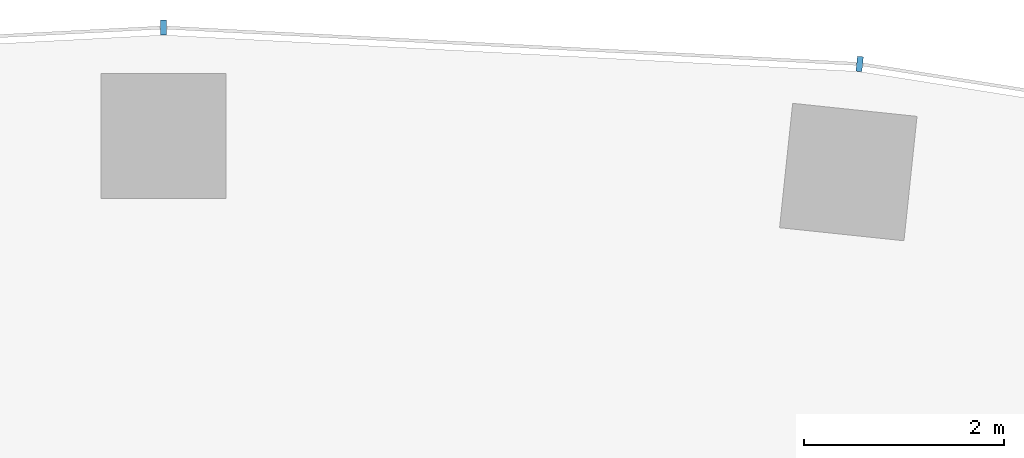
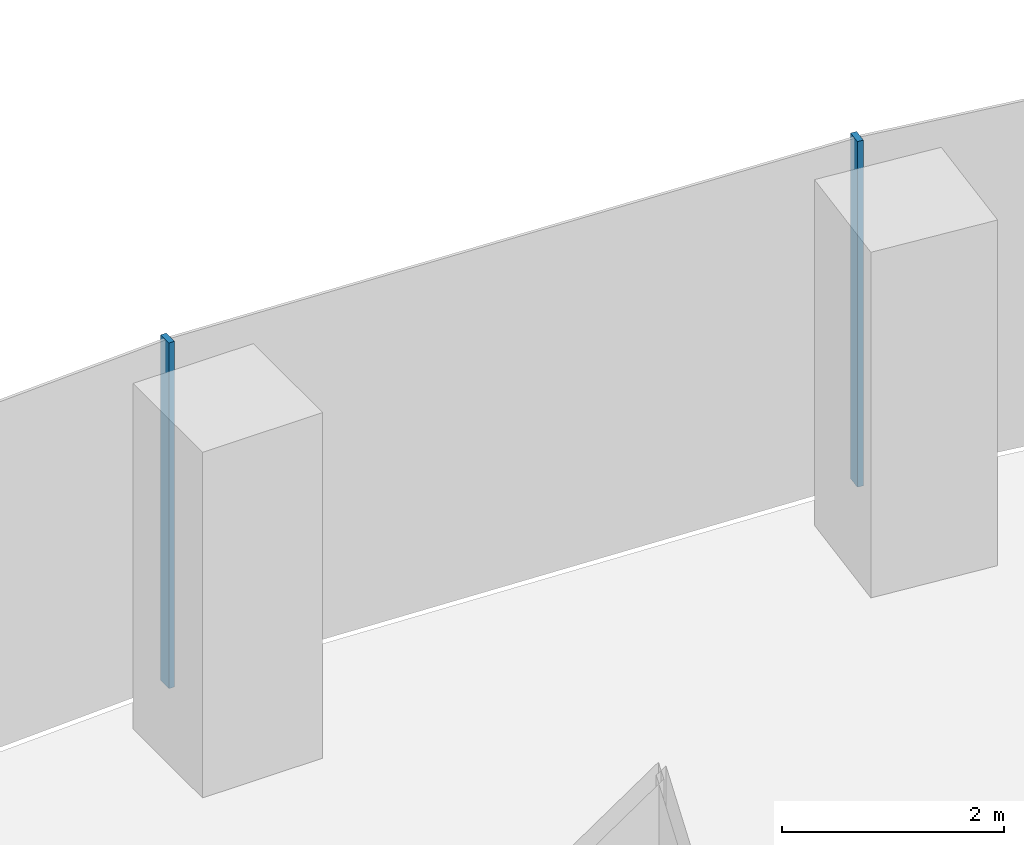
# One storey, part 7 of 21: 2 members, 1 element without a shape of its own.
"""IFC4 building model written with IfcOpenShell, lengths in metres."""

from ifc_helpers import new_model, si_unit, direction, frame, origin, origin_2d, place, context, subcontext, project, spatial, rectangle, extrude, material, layer, layer_set, material_profile, profile_set, type_object, element, aggregate, save


model = new_model("IFC4")

# Units and contexts
model_context = context("Model", 3, precision=1e-05, world=origin(), true_north=direction((0.0, 1.0)))
body_context = subcontext(model_context, "Body", "Model", "MODEL_VIEW")
ifc_project = project(units=[si_unit("LENGTHUNIT", "METRE"), si_unit("AREAUNIT", "SQUARE_METRE"), si_unit("VOLUMEUNIT", "CUBIC_METRE"), si_unit("PLANEANGLEUNIT", "RADIAN"), si_unit("MASSUNIT", "GRAM", prefix="KILO")], contexts=[model_context])

# Site, building, storey
site_placement = place(None, origin())
site = spatial("IfcSite", under=ifc_project, at=site_placement, CompositionType="ELEMENT")
building_placement = place(site_placement, origin())
building = spatial("IfcBuilding", under=site, at=building_placement, Name="Stone Belt Terrace Tower", CompositionType="ELEMENT")
storey_placement = place(building_placement, frame((0.0, 0.0, 33.800048828125)))
storey = spatial("IfcBuildingStorey", under=building, at=storey_placement, Name="L07", CompositionType="ELEMENT", Elevation=33.800048828125)

# Curtain wall, members
ifc_material = material(Name="Aluminium 6063-T6 anodised frame", Category="aluminium")
ifc_layer = layer(ifc_material, 0.14990234375)
ifc_layer_set = layer_set([ifc_layer], Name="CW-A unitised convex-face curtain wall")
curtain_wall_type = type_object("IfcCurtainWallType", Name="CW-A unitised convex-face curtain wall", PredefinedType="NOTDEFINED", material=ifc_layer_set)
curtain_wall_placement = place(storey_placement, origin())
curtain_wall = element("IfcCurtainWall", 1, at=curtain_wall_placement, inside=storey, type_object=curtain_wall_type, Name="CW-A convex face L07", PredefinedType="NOTDEFINED")
ifc_material_profile = material_profile(ifc_material, rectangle(XDim=0.14990234375, YDim=0.06005859375, at=origin_2d()), Name="Aluminium 6063-T6 60x150")
ifc_profile_set = profile_set([ifc_material_profile], Name="Aluminium 6063-T6 anodised frame")
member_type = type_object("IfcMemberType", Name="CW-A mullion 60 x 150", PredefinedType="MULLION", material=ifc_profile_set)
member_1_placement = place(storey_placement, frame((6.958984375, 66.21044921875, 0.0), z_axis=(0.0, 0.0, 1.0), x_axis=(-0.104528463268, -0.994521895368, 0.0)))
member_1 = element("IfcMember", 2, at=member_1_placement, type_object=member_type, Name="CW-A mullion 9", PredefinedType="MULLION", context=body_context, shape_type="SweptSolid", body=[
    extrude(rectangle(XDim=0.14990234375, YDim=0.06005859375, at=origin_2d()), origin(), (0.0, 0.0, 1.0), 3.800048828125),
])
member_2_placement = place(storey_placement, frame((0.0, 66.5751953125, 0.0), z_axis=(0.0, 0.0, 1.0), x_axis=(0.0, -1.0, 0.0)))
member_2 = element("IfcMember", 3, at=member_2_placement, type_object=member_type, Name="CW-A mullion 10", PredefinedType="MULLION", context=body_context, shape_type="SweptSolid", body=[
    extrude(rectangle(XDim=0.14990234375, YDim=0.06005859375, at=origin_2d()), origin(), (0.0, 0.0, 1.0), 3.800048828125),
])
aggregate(curtain_wall, [member_1, member_2])

save(model, "model.ifc")
